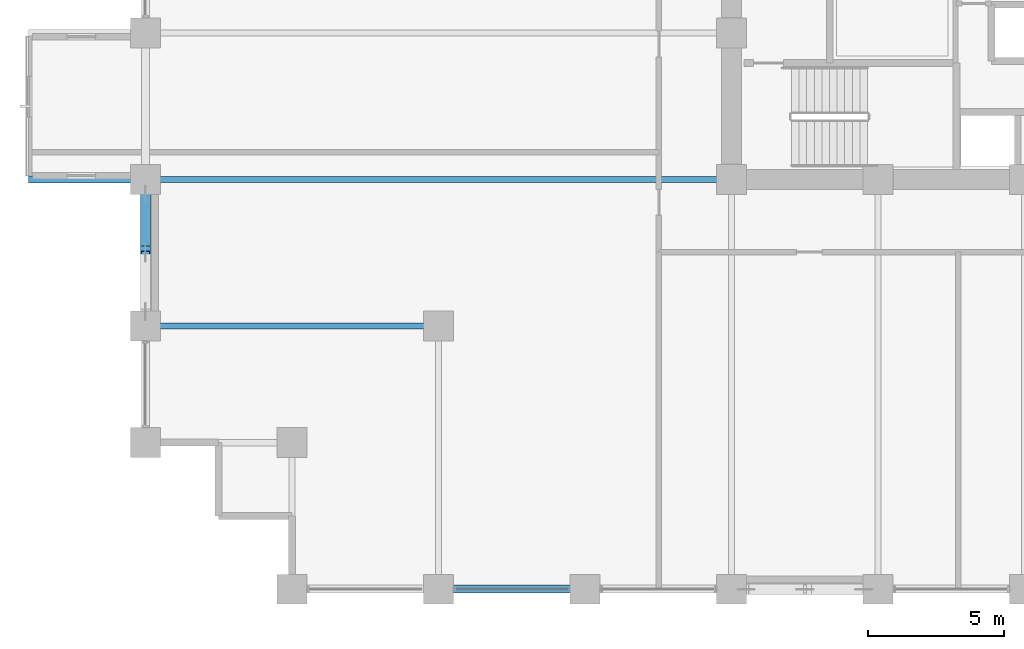
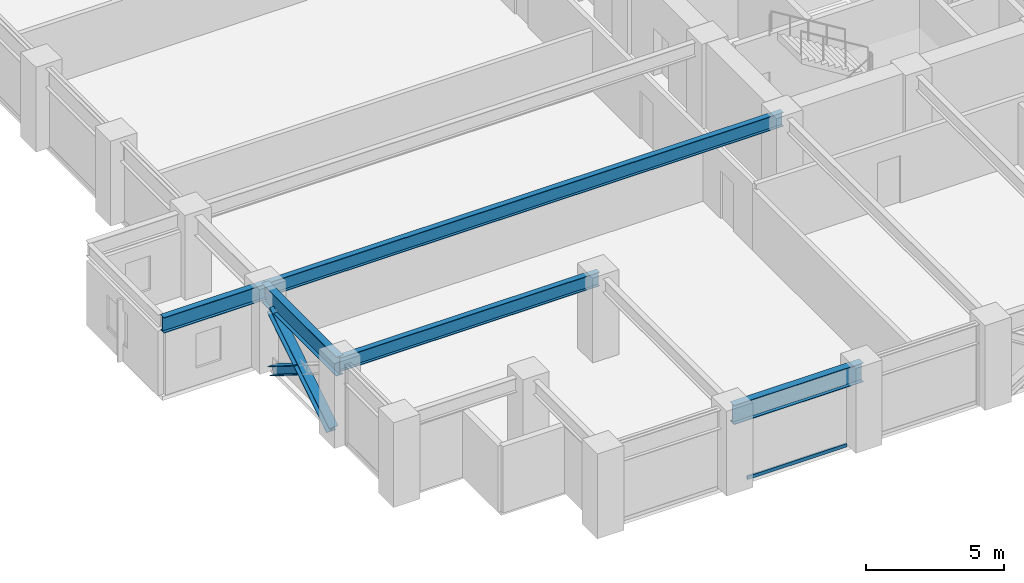
# One storey, part 3 of 29: 5 beams, 3 members, 1 element without a shape of its own.
"""IFC4 building model written with IfcOpenShell, lengths in metres."""

from ifc_helpers import new_model, si_unit, direction, frame, origin, origin_2d, place, context, subcontext, project, spatial, hollow_rectangle, i_section, extrude, material, layer, layer_set, material_profile, profile_set, type_object, element, aggregate, save


model = new_model("IFC4")

# Units and contexts
model_context = context("Model", 3, precision=1e-05, world=origin(), true_north=direction((0.0, 1.0)))
body_context = subcontext(model_context, "Body", "Model", "MODEL_VIEW")
ifc_project = project(units=[si_unit("LENGTHUNIT", "METRE"), si_unit("AREAUNIT", "SQUARE_METRE"), si_unit("VOLUMEUNIT", "CUBIC_METRE"), si_unit("PLANEANGLEUNIT", "RADIAN"), si_unit("MASSUNIT", "GRAM", prefix="KILO")], contexts=[model_context])

# Site, building, storey
site_placement = place(None, origin())
site = spatial("IfcSite", under=ifc_project, at=site_placement, CompositionType="ELEMENT")
building_placement = place(site_placement, origin())
building = spatial("IfcBuilding", under=site, at=building_placement, Name="Surkhivell Harbour Commons", CompositionType="ELEMENT")
storey_placement = place(building_placement, frame((0.0, 0.0, 87.0)))
storey = spatial("IfcBuildingStorey", under=building, at=storey_placement, Name="L22", CompositionType="ELEMENT", Elevation=87.0)

# Beams
ifc_material_1 = material(Name="Steel S460", Category="steel")
ifc_material_profile_1 = material_profile(ifc_material_1, i_section(OverallWidth=0.256103515625, OverallDepth=0.693115234375, WebThickness=0.014404296875, FlangeThickness=0.023681640625, at=origin_2d()), Name="UB686x254x170")
ifc_profile_set_1 = profile_set([ifc_material_profile_1], Name="Steel S460")
beam_type_1 = type_object("IfcBeamType", Name="BM-CNT-686", PredefinedType="BEAM", material=ifc_profile_set_1)
beam_1_placement = place(storey_placement, frame((-32.39990234375, -10.800048828125, 3.223388671875), z_axis=(-1.0, 0.0, 0.0), x_axis=(0.0, -1.0, 0.0)))
element("IfcBeam", 1, at=beam_1_placement, inside=storey, type_object=beam_type_1, Name="L22 Box Cantilever Outrigger (-32.4,-10.8)", PredefinedType="BEAM", context=body_context, shape_type="SweptSolid", body=[
    extrude(i_section(OverallWidth=0.256103515625, OverallDepth=0.693115234375, WebThickness=0.014404296875, FlangeThickness=0.023681640625, at=origin_2d()), origin(), (0.0, 0.0, 1.0), 4.300048828125),
])
ifc_material_2 = material(Name="Steel S355", Category="steel")
ifc_material_profile_2 = material_profile(ifc_material_2, i_section(OverallWidth=0.22998046875, OverallDepth=0.616943359375, WebThickness=0.01318359375, FlangeThickness=0.022216796875, at=origin_2d()), Name="UB610x229x140")
ifc_profile_set_2 = profile_set([ifc_material_profile_2], Name="Steel S355")
beam_type_2 = type_object("IfcBeamType", Name="BM-GRD-610B", PredefinedType="BEAM", material=ifc_profile_set_2)
beam_2_placement = place(storey_placement, frame((-32.39990234375, -10.800048828125, 3.261474609375), z_axis=(1.0, 0.0, 0.0), x_axis=(0.0, 1.0, 0.0)))
element("IfcBeam", 2, at=beam_2_placement, inside=storey, type_object=beam_type_2, Name="L22 Cantilever Back-Span Girder (-32.4,-10.8)", PredefinedType="BEAM", context=body_context, shape_type="SweptSolid", body=[
    extrude(i_section(OverallWidth=0.22998046875, OverallDepth=0.616943359375, WebThickness=0.01318359375, FlangeThickness=0.022216796875, at=origin_2d()), origin(), (0.0, 0.0, 1.0), 21.599853515625),
])
beam_3_placement = place(storey_placement, frame((-32.39990234375, -16.199951171875, 3.261474609375), z_axis=(1.0, 0.0, 0.0), x_axis=(0.0, 1.0, 0.0)))
element("IfcBeam", 3, at=beam_3_placement, inside=storey, type_object=beam_type_2, Name="L22 Floor Girder (-32.4,-16.2)", PredefinedType="BEAM", context=body_context, shape_type="SweptSolid", body=[
    extrude(i_section(OverallWidth=0.22998046875, OverallDepth=0.616943359375, WebThickness=0.01318359375, FlangeThickness=0.022216796875, at=origin_2d()), origin(), (0.0, 0.0, 1.0), 10.7998046875),
])
ifc_material_profile_3 = material_profile(ifc_material_1, i_section(OverallWidth=0.2939453125, OverallDepth=0.85107421875, WebThickness=0.01611328125, FlangeThickness=0.02685546875, at=origin_2d()), Name="UB838x292x226")
ifc_profile_set_3 = profile_set([ifc_material_profile_3], Name="Steel S460")
beam_type_3 = type_object("IfcBeamType", Name="BM-SPN-838", PredefinedType="SPANDREL", material=ifc_profile_set_3)
beam_4_placement = place(storey_placement, frame((-32.39990234375, -16.199951171875, 3.14453125), z_axis=(0.0, 1.0, 0.0), x_axis=(-1.0, 0.0, 0.0)))
element("IfcBeam", 4, at=beam_4_placement, inside=storey, type_object=beam_type_3, Name="L22 Tube Spandrel (-32.4,-16.2)", PredefinedType="SPANDREL", context=body_context, shape_type="SweptSolid", body=[
    extrude(i_section(OverallWidth=0.2939453125, OverallDepth=0.85107421875, WebThickness=0.01611328125, FlangeThickness=0.02685546875, at=origin_2d()), origin(), (0.0, 0.0, 1.0), 5.39990234375),
])
beam_5_placement = place(storey_placement, frame((-21.60009765625, -25.89990234375, 3.14453125), z_axis=(1.0, 0.0, 0.0), x_axis=(0.0, 1.0, 0.0)))
element("IfcBeam", 5, at=beam_5_placement, inside=storey, type_object=beam_type_3, Name="L22 Tube Spandrel (-21.6,-25.9)", PredefinedType="SPANDREL", context=body_context, shape_type="SweptSolid", body=[
    extrude(i_section(OverallWidth=0.2939453125, OverallDepth=0.85107421875, WebThickness=0.01611328125, FlangeThickness=0.02685546875, at=origin_2d()), origin(), (0.0, 0.0, 1.0), 5.400146484375),
])

# Curtain wall, member
ifc_material_3 = material(Name="Anodised pale-metal aluminium and insulated glazing", Category="aluminium")
ifc_layer = layer(ifc_material_3, 0.205078125)
ifc_layer_set = layer_set([ifc_layer], Name="Anodised pale-metal aluminium and insulated glazing")
curtain_wall_type = type_object("IfcCurtainWallType", Name="CW-SYS-Z2", PredefinedType="NOTDEFINED", material=ifc_layer_set)
curtain_wall_placement = place(storey_placement, origin())
curtain_wall = element("IfcCurtainWall", 6, at=curtain_wall_placement, inside=storey, type_object=curtain_wall_type, Name="L22 Curtain Wall CW-L22-E00S1", PredefinedType="NOTDEFINED")
ifc_material_4 = material(Name="Anodised pale-metal aluminium alloy 6063-T6", Category="aluminium")
ifc_material_profile_4 = material_profile(ifc_material_4, hollow_rectangle(XDim=0.074951171875, YDim=0.14990234375, WallThickness=0.00341796875, at=origin_2d()), Name="ALU-TRAN-75x150")
ifc_profile_set_4 = profile_set([ifc_material_profile_4], Name="Anodised pale-metal aluminium alloy 6063-T6")
member_type_1 = type_object("IfcMemberType", Name="CWT-150", PredefinedType="USERDEFINED", material=ifc_profile_set_4)
member_1_placement = place(storey_placement, frame((-20.972900390625, -25.89990234375, 0.074951171875), z_axis=(1.0, 0.0, 0.0), x_axis=(0.0, 1.0, 0.0)))
member_1 = element("IfcMember", 7, at=member_1_placement, type_object=member_type_1, Name="CW-Z2 transom 2.1", ObjectType="TRANSOM", PredefinedType="USERDEFINED", context=body_context, shape_type="SweptSolid", body=[
    extrude(hollow_rectangle(XDim=0.074951171875, YDim=0.14990234375, WallThickness=0.00341796875, at=origin_2d()), origin(), (0.0, 0.0, 1.0), 4.14599609375),
])
aggregate(curtain_wall, [member_1])

# Members
ifc_material_profile_5 = material_profile(ifc_material_1, i_section(OverallWidth=0.375, OverallDepth=0.375, WebThickness=0.0166015625, FlangeThickness=0.027099609375, at=origin_2d()), Name="UC356x368x202")
ifc_profile_set_5 = profile_set([ifc_material_profile_5], Name="Steel S460")
member_type_2 = type_object("IfcMemberType", Name="MEM-BRC-UC356", PredefinedType="BRACE", material=ifc_profile_set_5)
member_2_placement = place(storey_placement, frame((-32.39990234375, -15.6650390625, 0.008056640625), z_axis=(0.0, 0.847246015888, 0.531200704594), x_axis=(-1.0, 0.0, 0.0)))
element("IfcMember", 8, at=member_2_placement, inside=storey, type_object=member_type_2, Name="L22 Perimeter Mega-Brace MB- 10", PredefinedType="BRACE", context=body_context, shape_type="SweptSolid", body=[
    extrude(i_section(OverallWidth=0.375, OverallDepth=0.375, WebThickness=0.0166015625, FlangeThickness=0.027099609375, at=origin_2d()), origin(), (0.0, 0.0, 1.0), 5.11083984375),
])
member_3_placement = place(storey_placement, frame((-32.39990234375, -11.3349609375, 0.008056640625), z_axis=(0.0, -0.847206308526, 0.53126403115), x_axis=(1.0, 0.0, 0.0)))
element("IfcMember", 9, at=member_3_placement, inside=storey, type_object=member_type_2, Name="L22 Perimeter Mega-Brace MB- 11", PredefinedType="BRACE", context=body_context, shape_type="SweptSolid", body=[
    extrude(i_section(OverallWidth=0.375, OverallDepth=0.375, WebThickness=0.0166015625, FlangeThickness=0.027099609375, at=origin_2d()), origin(), (0.0, 0.0, 1.0), 2.37548828125),
])

save(model, "model.ifc")
